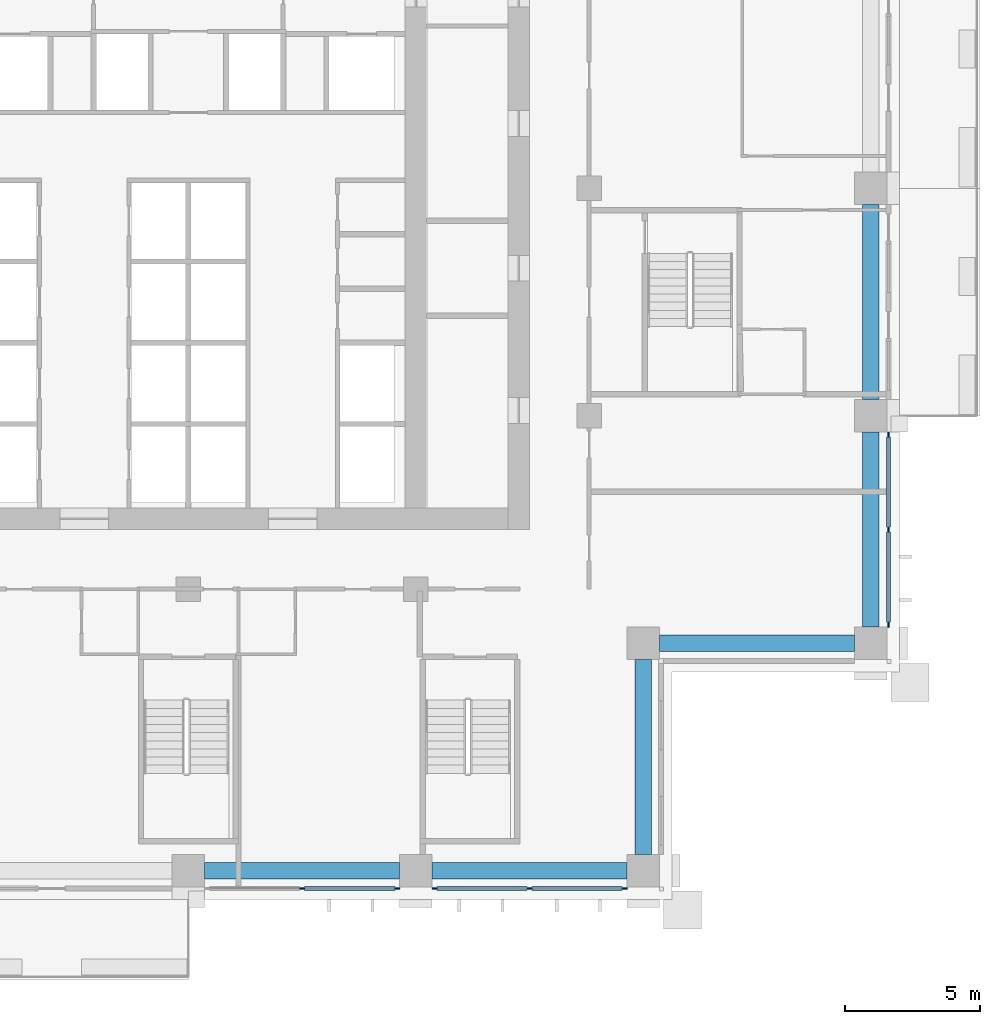
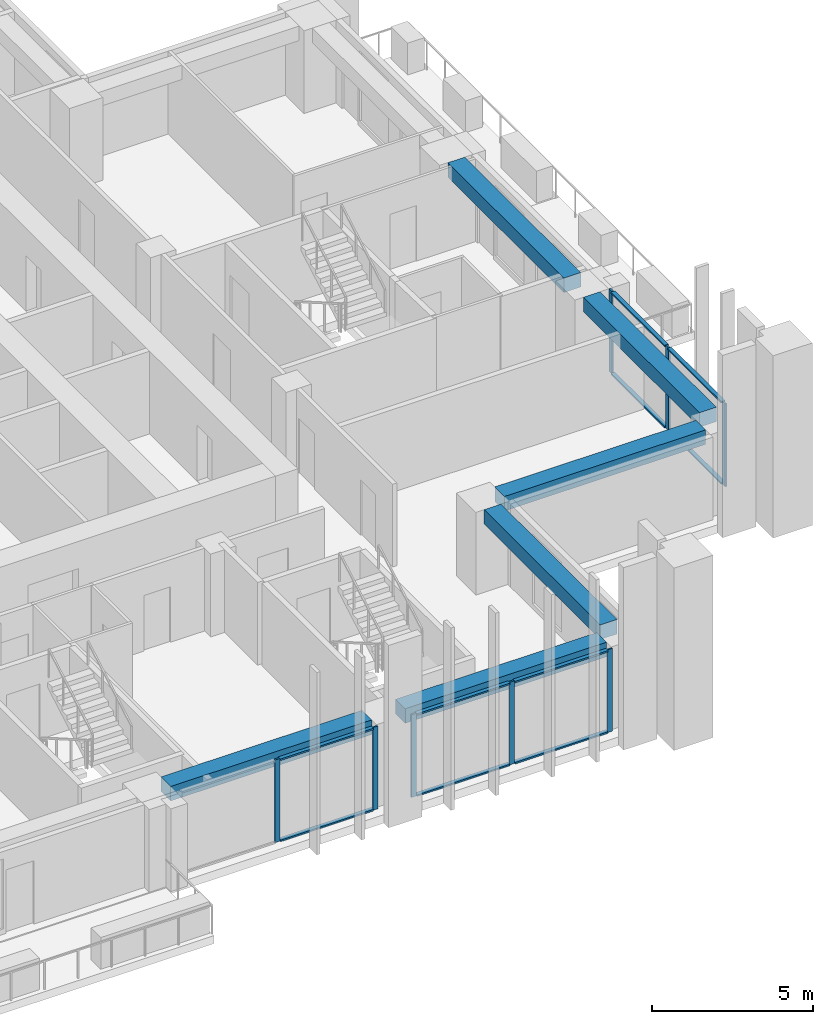
# One storey, part 4 of 17: 18 members, 6 beams, 3 elements without a shape of their own.
"""IFC4 building model written with IfcOpenShell, lengths in metres."""

from ifc_helpers import new_model, si_unit, direction, frame, origin, origin_2d, place, context, subcontext, project, spatial, rectangle, extrude, material, material_profile, profile_set, type_object, element, aggregate, save


model = new_model("IFC4")

# Units and contexts
model_context = context("Model", 3, precision=1e-05, world=origin(), true_north=direction((0.0, 1.0)))
body_context = subcontext(model_context, "Body", "Model", "MODEL_VIEW")
ifc_project = project(units=[si_unit("LENGTHUNIT", "METRE"), si_unit("AREAUNIT", "SQUARE_METRE"), si_unit("VOLUMEUNIT", "CUBIC_METRE"), si_unit("PLANEANGLEUNIT", "RADIAN"), si_unit("MASSUNIT", "GRAM", prefix="KILO")], contexts=[model_context])

# Site, building, storey
site_placement = place(None, origin())
site = spatial("IfcSite", under=ifc_project, at=site_placement, CompositionType="ELEMENT")
building_placement = place(site_placement, origin())
building = spatial("IfcBuilding", under=site, at=building_placement, Name="Vermilion Ogive Tower", CompositionType="ELEMENT")
storey_placement = place(building_placement, frame((0.0, 0.0, 97.64990234375)))
storey = spatial("IfcBuildingStorey", under=building, at=storey_placement, Name="L24", CompositionType="ELEMENT", Elevation=97.64990234375)

# Curtain wall, members
ifc_material_1 = material(Name="Low-iron laminated glazing in aluminium frame", Category="aluminium")
curtain_wall_type = type_object("IfcCurtainWallType", Name="Curtain wall CW7", PredefinedType="NOTDEFINED", material=ifc_material_1)
curtain_wall_1_placement = place(storey_placement, origin())
curtain_wall_1 = element("IfcCurtainWall", 1, at=curtain_wall_1_placement, inside=storey, type_object=curtain_wall_type, Name="Glazed skin S3", PredefinedType="NOTDEFINED")
ifc_material_2 = material(Name="Aluminium mullion", Category="aluminium")
ifc_material_profile_1 = material_profile(ifc_material_2, rectangle(XDim=0.06005859375, YDim=0.179931640625, at=origin_2d()), Name="AL 60x180")
ifc_profile_set_1 = profile_set([ifc_material_profile_1], Name="Aluminium mullion")
member_type_1 = type_object("IfcMemberType", Name="CW7 mullion 60x180", PredefinedType="MULLION", material=ifc_profile_set_1)
member_1_placement = place(storey_placement, frame((4.199951171875, -21.64990234375, 0.0), z_axis=(0.0, 0.0, 1.0), x_axis=(0.0, 1.0, 0.0)))
member_1 = element("IfcMember", 2, at=member_1_placement, type_object=member_type_1, Name="CW7-S3 mullion 2", PredefinedType="MULLION", context=body_context, shape_type="SweptSolid", body=[
    extrude(rectangle(XDim=0.06005859375, YDim=0.179931640625, at=origin_2d()), origin(), (0.0, 0.0, 1.0), 3.130126953125),
])
member_2_placement = place(storey_placement, frame((7.7099609375, -21.64990234375, 0.0), z_axis=(0.0, 0.0, 1.0), x_axis=(0.0, 1.0, 0.0)))
member_2 = element("IfcMember", 3, at=member_2_placement, type_object=member_type_1, Name="CW7-S3 mullion 3", PredefinedType="MULLION", context=body_context, shape_type="SweptSolid", body=[
    extrude(rectangle(XDim=0.06005859375, YDim=0.179931640625, at=origin_2d()), origin(), (0.0, 0.0, 1.0), 3.130126953125),
])

curtain_wall_2_placement = place(storey_placement, origin())
curtain_wall_2 = element("IfcCurtainWall", 4, at=curtain_wall_2_placement, inside=storey, type_object=curtain_wall_type, Name="Glazed skin S4", PredefinedType="NOTDEFINED")
member_3_placement = place(storey_placement, frame((9.090087890625, -21.64990234375, 0.0), z_axis=(0.0, 0.0, 1.0), x_axis=(0.0, 1.0, 0.0)))
member_3 = element("IfcMember", 5, at=member_3_placement, type_object=member_type_1, Name="CW7-S4 mullion 1", PredefinedType="MULLION", context=body_context, shape_type="SweptSolid", body=[
    extrude(rectangle(XDim=0.06005859375, YDim=0.179931640625, at=origin_2d()), origin(), (0.0, 0.0, 1.0), 3.130126953125),
])
member_4_placement = place(storey_placement, frame((12.60009765625, -21.64990234375, 0.0), z_axis=(0.0, 0.0, 1.0), x_axis=(0.0, 1.0, 0.0)))
member_4 = element("IfcMember", 6, at=member_4_placement, type_object=member_type_1, Name="CW7-S4 mullion 2", PredefinedType="MULLION", context=body_context, shape_type="SweptSolid", body=[
    extrude(rectangle(XDim=0.06005859375, YDim=0.179931640625, at=origin_2d()), origin(), (0.0, 0.0, 1.0), 3.130126953125),
])
member_5_placement = place(storey_placement, frame((16.110107421875, -21.64990234375, 0.0), z_axis=(0.0, 0.0, 1.0), x_axis=(0.0, 1.0, 0.0)))
member_5 = element("IfcMember", 7, at=member_5_placement, type_object=member_type_1, Name="CW7-S4 mullion 3", PredefinedType="MULLION", context=body_context, shape_type="SweptSolid", body=[
    extrude(rectangle(XDim=0.06005859375, YDim=0.179931640625, at=origin_2d()), origin(), (0.0, 0.0, 1.0), 3.130126953125),
])

curtain_wall_3_placement = place(storey_placement, origin())
curtain_wall_3 = element("IfcCurtainWall", 8, at=curtain_wall_3_placement, inside=storey, type_object=curtain_wall_type, Name="Glazed skin E1", PredefinedType="NOTDEFINED")
member_6_placement = place(storey_placement, frame((25.85009765625, -11.909912109375, 0.0), z_axis=(0.0, 0.0, 1.0), x_axis=(-1.0, 0.0, 0.0)))
member_6 = element("IfcMember", 9, at=member_6_placement, type_object=member_type_1, Name="CW7-E1 mullion 1", PredefinedType="MULLION", context=body_context, shape_type="SweptSolid", body=[
    extrude(rectangle(XDim=0.06005859375, YDim=0.179931640625, at=origin_2d()), origin(), (0.0, 0.0, 1.0), 3.130126953125),
])
member_7_placement = place(storey_placement, frame((25.85009765625, -8.39990234375, 0.0), z_axis=(0.0, 0.0, 1.0), x_axis=(-1.0, 0.0, 0.0)))
member_7 = element("IfcMember", 10, at=member_7_placement, type_object=member_type_1, Name="CW7-E1 mullion 2", PredefinedType="MULLION", context=body_context, shape_type="SweptSolid", body=[
    extrude(rectangle(XDim=0.06005859375, YDim=0.179931640625, at=origin_2d()), origin(), (0.0, 0.0, 1.0), 3.130126953125),
])
member_8_placement = place(storey_placement, frame((25.85009765625, -4.889892578125, 0.0), z_axis=(0.0, 0.0, 1.0), x_axis=(-1.0, 0.0, 0.0)))
member_8 = element("IfcMember", 11, at=member_8_placement, type_object=member_type_1, Name="CW7-E1 mullion 3", PredefinedType="MULLION", context=body_context, shape_type="SweptSolid", body=[
    extrude(rectangle(XDim=0.06005859375, YDim=0.179931640625, at=origin_2d()), origin(), (0.0, 0.0, 1.0), 3.130126953125),
])

# Member
ifc_material_3 = material(Name="Aluminium transom", Category="aluminium")
ifc_material_profile_2 = material_profile(ifc_material_3, rectangle(XDim=0.139892578125, YDim=0.06005859375, at=origin_2d()), Name="AL 60x140")
ifc_profile_set_2 = profile_set([ifc_material_profile_2], Name="Aluminium transom")
member_type_2 = type_object("IfcMemberType", Name="CW7 transom 60x140", PredefinedType="USERDEFINED", material=ifc_profile_set_2)
member_9_placement = place(storey_placement, frame((4.2900390625, -21.64990234375, 0.030029296875), z_axis=(1.0, 0.0, 0.0), x_axis=(0.0, 1.0, 0.0)))
member_9 = element("IfcMember", 12, at=member_9_placement, type_object=member_type_2, Name="CW7-S3 transom 2.1", ObjectType="TRANSOM", PredefinedType="USERDEFINED", context=body_context, shape_type="SweptSolid", body=[
    extrude(rectangle(XDim=0.139892578125, YDim=0.06005859375, at=origin_2d()), origin(), (0.0, 0.0, 1.0), 3.330078125),
])

member_10_placement = place(storey_placement, frame((4.2900390625, -21.64990234375, 3.10009765625), z_axis=(1.0, 0.0, 0.0), x_axis=(0.0, 1.0, 0.0)))
member_10 = element("IfcMember", 13, at=member_10_placement, type_object=member_type_2, Name="CW7-S3 transom 2.2", ObjectType="TRANSOM", PredefinedType="USERDEFINED", context=body_context, shape_type="SweptSolid", body=[
    extrude(rectangle(XDim=0.139892578125, YDim=0.06005859375, at=origin_2d()), origin(), (0.0, 0.0, 1.0), 3.330078125),
])

aggregate(curtain_wall_1, [member_1, member_2, member_9, member_10])

member_11_placement = place(storey_placement, frame((9.179931640625, -21.64990234375, 0.030029296875), z_axis=(1.0, 0.0, 0.0), x_axis=(0.0, 1.0, 0.0)))
member_11 = element("IfcMember", 14, at=member_11_placement, type_object=member_type_2, Name="CW7-S4 transom 1.1", ObjectType="TRANSOM", PredefinedType="USERDEFINED", context=body_context, shape_type="SweptSolid", body=[
    extrude(rectangle(XDim=0.139892578125, YDim=0.06005859375, at=origin_2d()), origin(), (0.0, 0.0, 1.0), 3.330078125),
])

member_12_placement = place(storey_placement, frame((9.179931640625, -21.64990234375, 3.10009765625), z_axis=(1.0, 0.0, 0.0), x_axis=(0.0, 1.0, 0.0)))
member_12 = element("IfcMember", 15, at=member_12_placement, type_object=member_type_2, Name="CW7-S4 transom 1.2", ObjectType="TRANSOM", PredefinedType="USERDEFINED", context=body_context, shape_type="SweptSolid", body=[
    extrude(rectangle(XDim=0.139892578125, YDim=0.06005859375, at=origin_2d()), origin(), (0.0, 0.0, 1.0), 3.330078125),
])

member_13_placement = place(storey_placement, frame((12.68994140625, -21.64990234375, 0.030029296875), z_axis=(1.0, 0.0, 0.0), x_axis=(0.0, 1.0, 0.0)))
member_13 = element("IfcMember", 16, at=member_13_placement, type_object=member_type_2, Name="CW7-S4 transom 2.1", ObjectType="TRANSOM", PredefinedType="USERDEFINED", context=body_context, shape_type="SweptSolid", body=[
    extrude(rectangle(XDim=0.139892578125, YDim=0.06005859375, at=origin_2d()), origin(), (0.0, 0.0, 1.0), 3.330078125),
])

member_14_placement = place(storey_placement, frame((12.68994140625, -21.64990234375, 3.10009765625), z_axis=(1.0, 0.0, 0.0), x_axis=(0.0, 1.0, 0.0)))
member_14 = element("IfcMember", 17, at=member_14_placement, type_object=member_type_2, Name="CW7-S4 transom 2.2", ObjectType="TRANSOM", PredefinedType="USERDEFINED", context=body_context, shape_type="SweptSolid", body=[
    extrude(rectangle(XDim=0.139892578125, YDim=0.06005859375, at=origin_2d()), origin(), (0.0, 0.0, 1.0), 3.330078125),
])

aggregate(curtain_wall_2, [member_3, member_4, member_5, member_11, member_12, member_13, member_14])

member_15_placement = place(storey_placement, frame((25.85009765625, -11.820068359375, 0.030029296875), z_axis=(0.0, 1.0, 0.0), x_axis=(-1.0, 0.0, 0.0)))
member_15 = element("IfcMember", 18, at=member_15_placement, type_object=member_type_2, Name="CW7-E1 transom 1.1", ObjectType="TRANSOM", PredefinedType="USERDEFINED", context=body_context, shape_type="SweptSolid", body=[
    extrude(rectangle(XDim=0.139892578125, YDim=0.06005859375, at=origin_2d()), origin(), (0.0, 0.0, 1.0), 3.330078125),
])

member_16_placement = place(storey_placement, frame((25.85009765625, -11.820068359375, 3.10009765625), z_axis=(0.0, 1.0, 0.0), x_axis=(-1.0, 0.0, 0.0)))
member_16 = element("IfcMember", 19, at=member_16_placement, type_object=member_type_2, Name="CW7-E1 transom 1.2", ObjectType="TRANSOM", PredefinedType="USERDEFINED", context=body_context, shape_type="SweptSolid", body=[
    extrude(rectangle(XDim=0.139892578125, YDim=0.06005859375, at=origin_2d()), origin(), (0.0, 0.0, 1.0), 3.330078125),
])

member_17_placement = place(storey_placement, frame((25.85009765625, -8.31005859375, 0.030029296875), z_axis=(0.0, 1.0, 0.0), x_axis=(-1.0, 0.0, 0.0)))
member_17 = element("IfcMember", 20, at=member_17_placement, type_object=member_type_2, Name="CW7-E1 transom 2.1", ObjectType="TRANSOM", PredefinedType="USERDEFINED", context=body_context, shape_type="SweptSolid", body=[
    extrude(rectangle(XDim=0.139892578125, YDim=0.06005859375, at=origin_2d()), origin(), (0.0, 0.0, 1.0), 3.330078125),
])

member_18_placement = place(storey_placement, frame((25.85009765625, -8.31005859375, 3.10009765625), z_axis=(0.0, 1.0, 0.0), x_axis=(-1.0, 0.0, 0.0)))
member_18 = element("IfcMember", 21, at=member_18_placement, type_object=member_type_2, Name="CW7-E1 transom 2.2", ObjectType="TRANSOM", PredefinedType="USERDEFINED", context=body_context, shape_type="SweptSolid", body=[
    extrude(rectangle(XDim=0.139892578125, YDim=0.06005859375, at=origin_2d()), origin(), (0.0, 0.0, 1.0), 3.330078125),
])

aggregate(curtain_wall_3, [member_6, member_7, member_8, member_15, member_16, member_17, member_18])

# Beams
ifc_material_4 = material(Name="Concrete B45", Category="concrete")
ifc_material_profile_3 = material_profile(ifc_material_4, rectangle(XDim=0.60009765625, YDim=0.550048828125, at=origin_2d()), Name="600 x 550")
ifc_profile_set_3 = profile_set([ifc_material_profile_3], Name="Concrete B45")
beam_type = type_object("IfcBeamType", Name="Edge beam 600 x 550 B45", PredefinedType="BEAM", material=ifc_profile_set_3)
for number, where, z_axis, x_axis, name in (
    (22, (0.60009765625, -21.0, 2.85498046875), (1.0, 0.0, 0.0), (0.0, 1.0, 0.0), "L24-EB-3"),
    (23, (9.0, -21.0, 2.85498046875), (1.0, 0.0, 0.0), (0.0, 1.0, 0.0), "L24-EB-4"),
    (24, (16.800048828125, -20.39990234375, 2.85498046875), (0.0, 1.0, 0.0), (-1.0, 0.0, 0.0), "L24-EB-5"),
):
    element("IfcBeam", number, at=place(storey_placement, frame(where, z_axis=z_axis, x_axis=x_axis)), inside=storey, type_object=beam_type, Name=name, PredefinedType="BEAM", context=body_context, shape_type="SweptSolid", body=[
        extrude(rectangle(XDim=0.60009765625, YDim=0.550048828125, at=origin_2d()), origin(), (0.0, 0.0, 1.0), 7.199951171875),
    ])
beam_1_placement = place(storey_placement, frame((17.39990234375, -12.60009765625, 2.85498046875), z_axis=(1.0, 0.0, 0.0), x_axis=(0.0, 1.0, 0.0)))
element("IfcBeam", 25, at=beam_1_placement, inside=storey, type_object=beam_type, Name="L24-EB-6", PredefinedType="BEAM", context=body_context, shape_type="SweptSolid", body=[
    extrude(rectangle(XDim=0.60009765625, YDim=0.550048828125, at=origin_2d()), origin(), (0.0, 0.0, 1.0), 7.2001953125),
])
beam_2_placement = place(storey_placement, frame((25.199951171875, -12.0, 2.85498046875), z_axis=(0.0, 1.0, 0.0), x_axis=(-1.0, 0.0, 0.0)))
element("IfcBeam", 26, at=beam_2_placement, inside=storey, type_object=beam_type, Name="L24-EB-7", PredefinedType="BEAM", context=body_context, shape_type="SweptSolid", body=[
    extrude(rectangle(XDim=0.60009765625, YDim=0.550048828125, at=origin_2d()), origin(), (0.0, 0.0, 1.0), 7.199951171875),
])
beam_3_placement = place(storey_placement, frame((25.199951171875, -3.60009765625, 2.85498046875), z_axis=(0.0, 1.0, 0.0), x_axis=(-1.0, 0.0, 0.0)))
element("IfcBeam", 27, at=beam_3_placement, inside=storey, type_object=beam_type, Name="L24-EB-8", PredefinedType="BEAM", context=body_context, shape_type="SweptSolid", body=[
    extrude(rectangle(XDim=0.60009765625, YDim=0.550048828125, at=origin_2d()), origin(), (0.0, 0.0, 1.0), 7.2001953125),
])

save(model, "model.ifc")
